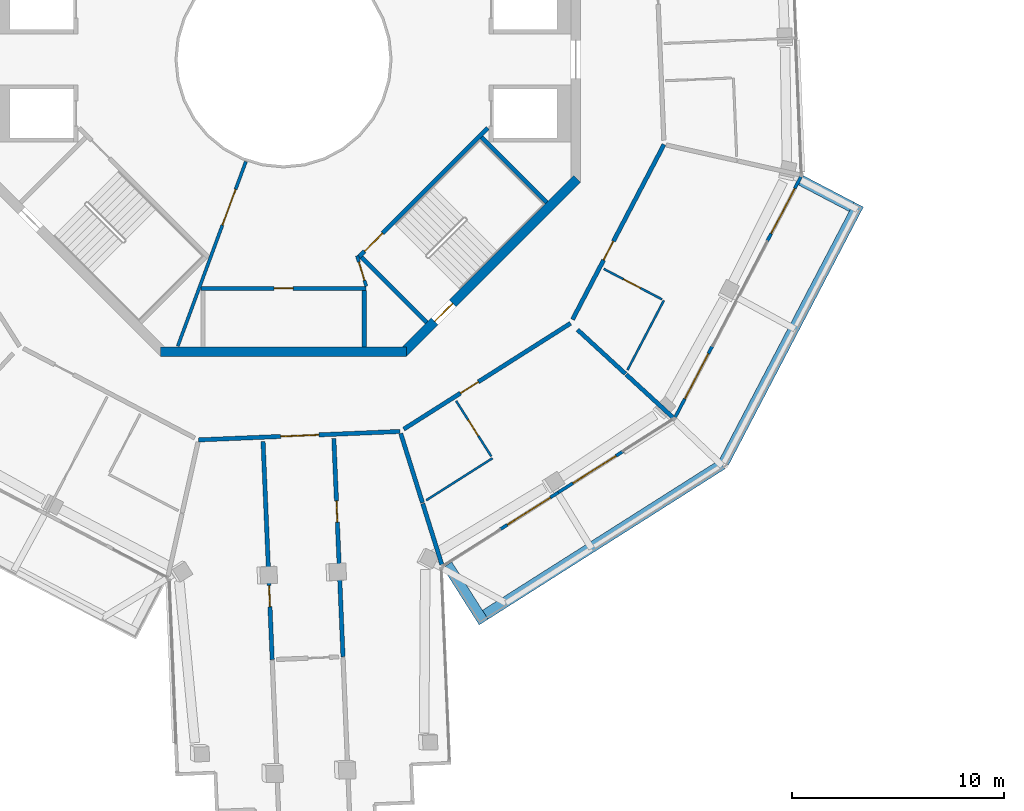
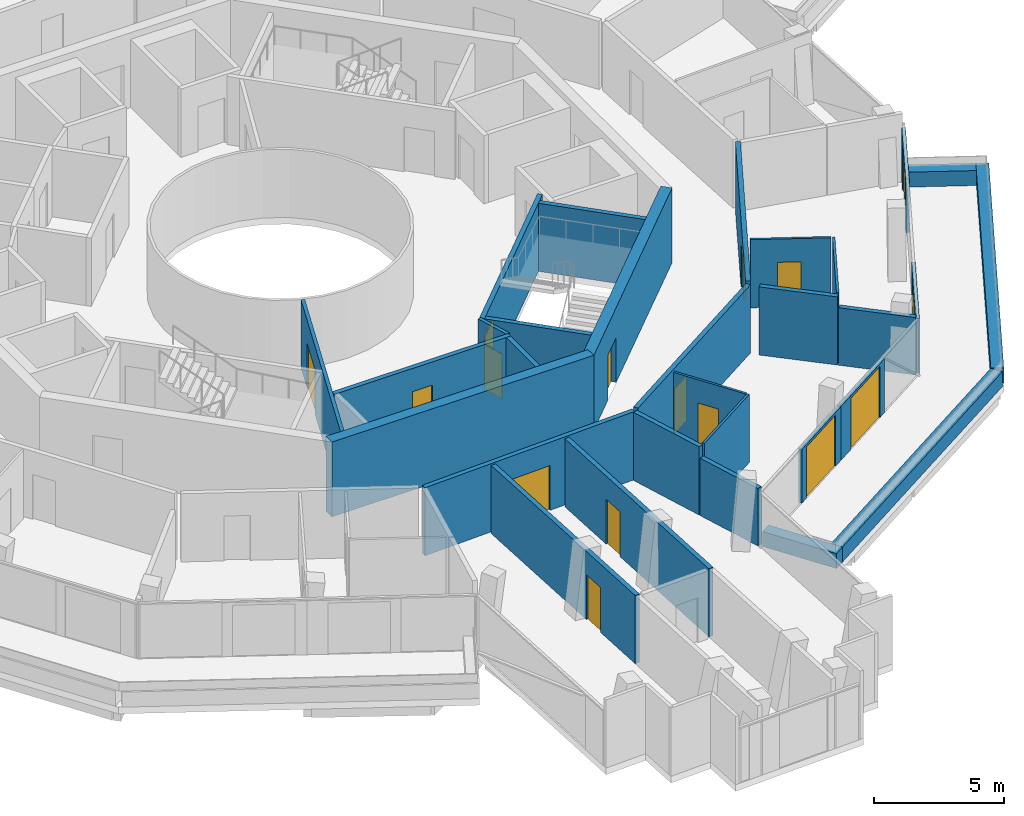
# One storey, part 16 of 23: 30 walls, 16 doors, 16 openings.
"""IFC4 building model written with IfcOpenShell, lengths in metres."""

import ifcopenshell
import ifcopenshell.guid

model = None  # the IFC model being written
_history = None  # IfcOwnerHistory: only IFC2X3 demands one
_inside = {}  # id of a spatial element -> (the spatial element, [elements in it])
_under = {}  # id of a project, library or spatial element -> (it, [spatial elements below it])
_declared = {}  # id of a project -> (the project, [libraries it declares])
_typed = {}  # id of a type object -> (the type object, [elements of that type])
_made_of = {}  # id of a material, layer set ... -> (it, [elements and type objects made of it])


def new_model(schema):
    """Start an empty IFC model of exactly this schema.

    Asked for "IFC4X3", IfcOpenShell would pick the latest addendum, in which some entities
    have other attributes; the version numbers below select the first issue.
    IFC2X3 requires an IfcOwnerHistory on every rooted entity: one is made here for all.
    """
    global model, _history
    if schema == "IFC4X3":
        model = ifcopenshell.file(schema_version=(4, 3, 0, 0))
    else:
        model = ifcopenshell.file(schema=schema)
    _inside.clear()
    _under.clear()
    _declared.clear()
    _typed.clear()
    _made_of.clear()
    _history = None
    if model.schema == "IFC2X3":
        org = make("IfcOrganization", Name="unknown")
        user = make(
            "IfcPersonAndOrganization",
            ThePerson=make("IfcPerson", FamilyName="unknown"),
            TheOrganization=org,
        )
        app = make(
            "IfcApplication",
            ApplicationDeveloper=org,
            Version="unknown",
            ApplicationFullName="unknown",
            ApplicationIdentifier="unknown",
        )
        _history = make(
            "IfcOwnerHistory",
            OwningUser=user,
            OwningApplication=app,
            ChangeAction="ADDED",
            CreationDate=0,
        )
    return model


def make(cls, **values):
    """One entity of the class cls with the attributes given. An attribute that is None is left unset."""
    return model.create_entity(
        cls, **{name: value for name, value in values.items() if value is not None}
    )


def rooted(cls, **values):
    """An entity with a GlobalId (a new one), such as an element, a storey or a relation."""
    return make(cls, GlobalId=ifcopenshell.guid.new(), OwnerHistory=_history, **values)


def si_unit(unit_type, name, prefix=None):
    """IfcSIUnit, for example si_unit("LENGTHUNIT", "METRE", prefix="MILLI")."""
    return make("IfcSIUnit", UnitType=unit_type, Prefix=prefix, Name=name)


def assignment(units):
    """IfcUnitAssignment: the units of a project."""
    return None if units is None else make("IfcUnitAssignment", Units=units)


def point(xyz):
    """IfcCartesianPoint."""
    return None if xyz is None else make("IfcCartesianPoint", Coordinates=xyz)


def direction(xyz):
    """IfcDirection."""
    return None if xyz is None else make("IfcDirection", DirectionRatios=xyz)


def frame(location, z_axis=None, x_axis=None):
    """IfcAxis2Placement3D, a coordinate frame: its origin and axes. An axis left out is left unset."""
    return make(
        "IfcAxis2Placement3D",
        Location=point(location),
        Axis=direction(z_axis),
        RefDirection=direction(x_axis),
    )


def frame_2d(location, x_axis=None):
    """IfcAxis2Placement2D, a coordinate frame in the plane: its origin and x axis."""
    return make(
        "IfcAxis2Placement2D", Location=point(location), RefDirection=direction(x_axis)
    )


def origin():
    """The frame at (0, 0, 0) with its axes left unset."""
    return frame((0.0, 0.0, 0.0))


def place(relative_to, where):
    """IfcLocalPlacement: puts the frame where relative to a parent placement (None: the world)."""
    return make(
        "IfcLocalPlacement", PlacementRelTo=relative_to, RelativePlacement=where
    )


def context(
    kind, dimensions, precision=None, world=None, true_north=None, identifier=None
):
    """IfcGeometricRepresentationContext, for example the 3D "Model" context."""
    return make(
        "IfcGeometricRepresentationContext",
        ContextIdentifier=identifier,
        ContextType=kind,
        CoordinateSpaceDimension=dimensions,
        Precision=precision,
        WorldCoordinateSystem=world,
        TrueNorth=true_north,
    )


def subcontext(parent, identifier, kind, view, scale=None):
    """IfcGeometricRepresentationSubContext, for example "Body" below "Model"."""
    return make(
        "IfcGeometricRepresentationSubContext",
        ContextIdentifier=identifier,
        ContextType=kind,
        ParentContext=parent,
        TargetScale=scale,
        TargetView=view,
    )


def project(units=None, contexts=None):
    """IfcProject with its units and contexts."""
    return rooted(
        "IfcProject",
        Name="project",
        RepresentationContexts=contexts,
        UnitsInContext=assignment(units),
    )


def spatial(cls, under=None, at=None, **own):
    """A site, building, storey or space (cls), placed at a placement, below another one or the project."""
    s = rooted(cls, ObjectPlacement=at, **own)
    if under is not None:
        _under.setdefault(under.id(), (under, []))[1].append(s)
    return s


def profile(cls, at=None, kind="AREA", **sizes):
    """A parametric profile (cls). Its sizes go by their IFC names, for example OverallWidth=200.0."""
    return make(cls, ProfileType=kind, Position=at, **sizes)


def rectangle(**sizes):
    """IfcRectangleProfileDef."""
    return profile("IfcRectangleProfileDef", **sizes)


def extrude(swept, where, along, depth):
    """IfcExtrudedAreaSolid: the profile swept, set in the frame where, extruded along a direction by depth."""
    return make(
        "IfcExtrudedAreaSolid",
        SweptArea=swept,
        Position=where,
        ExtrudedDirection=direction(along),
        Depth=depth,
    )


def shape(context_of_items, identifier, shape_type, items):
    """IfcShapeRepresentation: the items that make up one representation, for example the "Body"."""
    return make(
        "IfcShapeRepresentation",
        ContextOfItems=context_of_items,
        RepresentationIdentifier=identifier,
        RepresentationType=shape_type,
        Items=items,
    )


def material(Name=None, Category=None):
    """IfcMaterial."""
    return make("IfcMaterial", Name=Name, Category=Category)


def layer(
    of_material, thickness, ventilated=None, Name=None, Category=None, Priority=None
):
    """IfcMaterialLayer: one layer of a wall or slab, of a material (None: an air gap)."""
    return make(
        "IfcMaterialLayer",
        Material=of_material,
        LayerThickness=thickness,
        IsVentilated=ventilated,
        Name=Name,
        Category=Category,
        Priority=Priority,
    )


def layer_set(layers, Name=None):
    """IfcMaterialLayerSet."""
    return make("IfcMaterialLayerSet", MaterialLayers=layers, LayerSetName=Name)


def made_of(thing, what):
    """Note that an element or type object is made of a material, layer set ...; save() writes the relation."""
    if what is not None:
        _made_of.setdefault(what.id(), (what, []))[1].append(thing)
    return thing


def type_object(cls, material=None, **own):
    """A type object (cls), such as IfcWallType, which elements share."""
    return made_of(rooted(cls, **own), material)


def element(
    cls,
    number,
    at=None,
    inside=None,
    cuts=None,
    type_object=None,
    material=None,
    context=None,
    identifier="Body",
    shape_type=None,
    held_by="IfcProductDefinitionShape",
    body=None,
    shapes=None,
    **own,
):
    """One element of the class cls, such as IfcWall. Its Tag is "e" and its number.

    at: its placement. inside: the storey or other place that contains it. cuts: it is an
    opening in that element (IfcRelVoidsElement). A single representation is given by context,
    identifier, shape_type and body (its items); several are given by shapes. held_by: the class
    of the entity that holds the representations. save() writes the other relations.
    """
    e = rooted(cls, Tag="e%d" % number, ObjectPlacement=at, **own)
    if body is not None:
        shapes = [shape(context, identifier, shape_type, body)]
    if shapes is not None:
        e.Representation = make(held_by, Representations=shapes)
    if inside is not None:
        _inside.setdefault(inside.id(), (inside, []))[1].append(e)
    if cuts is not None:
        rooted(
            "IfcRelVoidsElement", RelatingBuildingElement=cuts, RelatedOpeningElement=e
        )
    if type_object is not None:
        _typed.setdefault(type_object.id(), (type_object, []))[1].append(e)
    return made_of(e, material)


def fill(opening, filler):
    """IfcRelFillsElement: the door or window that sits in an opening."""
    return rooted(
        "IfcRelFillsElement",
        RelatingOpeningElement=opening,
        RelatedBuildingElement=filler,
    )


def aggregate(whole, parts):
    """IfcRelAggregates: a whole, such as a stair, and the parts it consists of."""
    return rooted("IfcRelAggregates", RelatingObject=whole, RelatedObjects=parts)


def save(model, path):
    """Write the relations noted so far, then the file.

    IfcRelAggregates (storeys below a building ...), IfcRelContainedInSpatialStructure (elements
    in a storey), IfcRelDefinesByType, IfcRelAssociatesMaterial and IfcRelDeclares: one each for
    every whole, place, type object, material and project.
    """
    for whole, parts in _under.values():
        aggregate(whole, parts)
    for where, things in _inside.values():
        rooted(
            "IfcRelContainedInSpatialStructure",
            RelatedElements=things,
            RelatingStructure=where,
        )
    for kind, things in _typed.values():
        rooted("IfcRelDefinesByType", RelatedObjects=things, RelatingType=kind)
    for what, things in _made_of.values():
        rooted("IfcRelAssociatesMaterial", RelatedObjects=things, RelatingMaterial=what)
    for by, libraries in _declared.values():
        rooted("IfcRelDeclares", RelatingContext=by, RelatedDefinitions=libraries)
    model.write(path)


model = new_model("IFC4")

# Units and contexts
model_context = context("Model", 3, precision=1e-05, world=origin(), true_north=direction((0.0, 1.0)))
body_context = subcontext(model_context, "Body", "Model", "MODEL_VIEW")
ifc_project = project(units=[si_unit("LENGTHUNIT", "METRE"), si_unit("AREAUNIT", "SQUARE_METRE"), si_unit("VOLUMEUNIT", "CUBIC_METRE"), si_unit("PLANEANGLEUNIT", "RADIAN"), si_unit("MASSUNIT", "GRAM", prefix="KILO")], contexts=[model_context])

# Site, building, storey
site_placement = place(None, origin())
site = spatial("IfcSite", under=ifc_project, at=site_placement, CompositionType="ELEMENT")
building_placement = place(site_placement, origin())
building = spatial("IfcBuilding", under=site, at=building_placement, Name="Verdalira Terraces Hotel", CompositionType="ELEMENT")
storey_placement = place(building_placement, frame((0.0, 0.0, 288.0)))
storey = spatial("IfcBuildingStorey", under=building, at=storey_placement, Name="L71", CompositionType="ELEMENT", Elevation=288.0)

# Walls
ifc_material_1 = material(Name="Concrete C40", Category="concrete")
ifc_layer_1 = layer(ifc_material_1, 0.5)
ifc_layer_set_1 = layer_set([ifc_layer_1], Name="Balcony planter trough with tree")
wall_type_1 = type_object("IfcWallType", Name="Balcony planter trough with tree", PredefinedType="SOLIDWALL", material=ifc_layer_set_1)
wall_1_placement = place(storey_placement, frame((7.72168, -23.831787, 0.0), z_axis=(0.0, 0.0, 1.0), x_axis=(0.535838042, -0.844320788, 0.0)))
element("IfcWall", 1, at=wall_1_placement, inside=storey, type_object=wall_type_1, Name="Balcony planter", PredefinedType="SOLIDWALL", context=body_context, shape_type="SweptSolid", body=[
    extrude(rectangle(XDim=3.198975, YDim=0.5, at=frame_2d((1.599609, 0.0))), origin(), (0.0, 0.0, 1.0), 0.699951),
])
wall_2_placement = place(storey_placement, frame((9.512939, -26.187744, 0.0), z_axis=(0.0, 0.0, 1.0), x_axis=(0.844331348, 0.535821402, 0.0)))
element("IfcWall", 2, at=wall_2_placement, inside=storey, type_object=wall_type_1, Name="Balcony planter", PredefinedType="SOLIDWALL", context=body_context, shape_type="SweptSolid", body=[
    extrude(rectangle(XDim=13.223633, YDim=0.5, at=frame_2d((6.611816, 0.0))), origin(), (0.0, 0.0, 1.0), 0.699951),
])
wall_3_placement = place(storey_placement, frame((20.765625, -19.00708, 0.0), z_axis=(0.0, 0.0, 1.0), x_axis=(0.463286917, 0.886208346, 0.0)))
element("IfcWall", 3, at=wall_3_placement, inside=storey, type_object=wall_type_1, Name="Balcony planter", PredefinedType="SOLIDWALL", context=body_context, shape_type="SweptSolid", body=[
    extrude(rectangle(XDim=13.723389, YDim=0.5, at=frame_2d((6.861816, 0.0))), origin(), (0.0, 0.0, 1.0), 0.699951),
])
wall_4_placement = place(storey_placement, frame((26.786133, -6.950928, 0.0), z_axis=(0.0, 0.0, 1.0), x_axis=(-0.886194214, 0.463313949, 0.0)))
element("IfcWall", 4, at=wall_4_placement, inside=storey, type_object=wall_type_1, Name="Balcony planter", PredefinedType="SOLIDWALL", context=body_context, shape_type="SweptSolid", body=[
    extrude(rectangle(XDim=2.698975, YDim=0.5, at=frame_2d((1.349609, 0.0))), origin(), (0.0, 0.0, 1.0), 0.699951),
])
ifc_material_2 = material(Name="Moisture-resistant gypsum board partition")
ifc_layer_2 = layer(ifc_material_2, 0.10009765625)
ifc_layer_set_2 = layer_set([ifc_layer_2], Name="Bathroom partition 100 mm")
wall_type_2 = type_object("IfcWallType", Name="Bathroom partition 100 mm", PredefinedType="PARTITIONING", material=ifc_layer_set_2)
wall_5_placement = place(storey_placement, frame((9.852539, -18.806641, 0.0), z_axis=(0.0, 0.0, 1.0), x_axis=(-0.844312217, -0.535851547, 0.0)))
element("IfcWall", 5, at=wall_5_placement, inside=storey, type_object=wall_type_2, Name="Bathroom partition", PredefinedType="PARTITIONING", context=body_context, shape_type="SweptSolid", body=[
    extrude(rectangle(XDim=3.704102, YDim=0.100098, at=frame_2d((1.852051, 0.0))), origin(), (0.0, 0.0, 1.0), 3.189941),
])

# Wall, opening, door
wall_6_placement = place(storey_placement, frame((9.799072, -18.722412, 0.0), z_axis=(0.0, 0.0, 1.0), x_axis=(-0.535840635, 0.844319142, 0.0)))
wall_6 = element("IfcWall", 6, at=wall_6_placement, inside=storey, type_object=wall_type_2, Name="Bathroom partition", PredefinedType="PARTITIONING", context=body_context, shape_type="SweptSolid", body=[
    extrude(rectangle(XDim=3.100098, YDim=0.100098, at=frame_2d((1.550049, 0.0))), origin(), (0.0, 0.0, 1.0), 3.189941),
])
opening_1_placement = place(wall_6_placement, frame((1.149902, 0.0, 0.0)))
opening_1 = element("IfcOpeningElement", 7, at=opening_1_placement, cuts=wall_6, Name="Opening L71-118", PredefinedType="OPENING", context=body_context, shape_type="SweptSolid", body=[
    extrude(rectangle(XDim=0.899902, YDim=2.100098, at=frame_2d((0.449951, 1.050049))), frame((0.0, 0.060059, 0.0), z_axis=(0.0, -1.0, 0.0), x_axis=(1.0, 0.0, 0.0)), (0.0, 0.0, 1.0), 0.120117),
])
ifc_material_3 = material(Name="Timber door", Category="wood")
door_type_1 = type_object("IfcDoorType", Name="Bathroom door 900 x 2100", OperationType="NOTDEFINED", PredefinedType="DOOR", material=ifc_material_3)
door_1_placement = place(opening_1_placement, origin())
door_1 = element("IfcDoor", 8, at=door_1_placement, inside=storey, type_object=door_type_1, Name="Bathroom door 7106", OperationType="SINGLE_SWING_LEFT", OverallHeight=2.10009765625, OverallWidth=0.89990234375, PredefinedType="DOOR", context=body_context, shape_type="SweptSolid", body=[
    extrude(rectangle(XDim=0.899902, YDim=2.100098, at=frame_2d((0.449951, 1.050049))), frame((0.0, 0.024902, 0.0), z_axis=(0.0, -1.0, 0.0), x_axis=(1.0, 0.0, 0.0)), (0.0, 0.0, 1.0), 0.050049),
])
fill(opening_1, door_1)

wall_7_placement = place(storey_placement, frame((17.847412, -11.314453, 0.0), z_axis=(0.0, 0.0, 1.0), x_axis=(-0.886233527, 0.463238746, 0.0)))
wall_7 = element("IfcWall", 9, at=wall_7_placement, inside=storey, type_object=wall_type_2, Name="Bathroom partition", PredefinedType="PARTITIONING", context=body_context, shape_type="SweptSolid", body=[
    extrude(rectangle(XDim=3.100098, YDim=0.100098, at=frame_2d((1.550049, 0.0))), origin(), (0.0, 0.0, 1.0), 3.189941),
])
opening_2_placement = place(wall_7_placement, frame((1.149902, 0.0, 0.0)))
opening_2 = element("IfcOpeningElement", 10, at=opening_2_placement, cuts=wall_7, Name="Opening L71-120", PredefinedType="OPENING", context=body_context, shape_type="SweptSolid", body=[
    extrude(rectangle(XDim=0.899902, YDim=2.100098, at=frame_2d((0.449951, 1.050049))), frame((0.0, 0.060059, 0.0), z_axis=(0.0, -1.0, 0.0), x_axis=(1.0, 0.0, 0.0)), (0.0, 0.0, 1.0), 0.120117),
])
door_2_placement = place(opening_2_placement, origin())
door_2 = element("IfcDoor", 11, at=door_2_placement, inside=storey, type_object=door_type_1, Name="Bathroom door 7107", OperationType="SINGLE_SWING_LEFT", OverallHeight=2.10009765625, OverallWidth=0.89990234375, PredefinedType="DOOR", context=body_context, shape_type="SweptSolid", body=[
    extrude(rectangle(XDim=0.899902, YDim=2.100098, at=frame_2d((0.449951, 1.050049))), frame((0.0, 0.024902, 0.0), z_axis=(0.0, -1.0, 0.0), x_axis=(1.0, 0.0, 0.0)), (0.0, 0.0, 1.0), 0.050049),
])
fill(opening_2, door_2)

# Wall
wall_8_placement = place(storey_placement, frame((17.936035, -11.36084, 0.0), z_axis=(0.0, 0.0, 1.0), x_axis=(-0.463302447, -0.886200227, 0.0)))
element("IfcWall", 12, at=wall_8_placement, inside=storey, type_object=wall_type_2, Name="Bathroom partition", PredefinedType="PARTITIONING", context=body_context, shape_type="SweptSolid", body=[
    extrude(rectangle(XDim=3.704102, YDim=0.100098, at=frame_2d((1.852051, 0.0))), origin(), (0.0, 0.0, 1.0), 3.189941),
])

# Wall, opening, door
ifc_material_4 = material(Name="Concrete C50", Category="concrete")
ifc_layer_3 = layer(ifc_material_4, 0.199951171875)
ifc_layer_set_3 = layer_set([ifc_layer_3], Name="Core RC wall 200 C50")
wall_type_3 = type_object("IfcWallType", Name="Core RC wall 200 C50", PredefinedType="SOLIDWALL", material=ifc_layer_set_3)
wall_9_placement = place(storey_placement, frame((-3.899902, -10.800049, 0.0), z_axis=(0.0, 0.0, 1.0), x_axis=(1.0, 0.0, 0.0)))
wall_9 = element("IfcWall", 13, at=wall_9_placement, inside=storey, type_object=wall_type_3, Name="L71 store front wall", PredefinedType="SOLIDWALL", context=body_context, shape_type="SweptSolid", body=[
    extrude(rectangle(XDim=7.799805, YDim=0.199951, at=frame_2d((3.899902, 0.0))), origin(), (0.0, 0.0, 1.0), 3.189941),
])
opening_3_placement = place(wall_9_placement, frame((3.449951, 0.0, 0.0)))
opening_3 = element("IfcOpeningElement", 14, at=opening_3_placement, cuts=wall_9, Name="Opening L71-801", PredefinedType="OPENING", context=body_context, shape_type="SweptSolid", body=[
    extrude(rectangle(XDim=0.899902, YDim=2.100098, at=frame_2d((0.449951, 1.050049))), frame((0.0, 0.109863, 0.0), z_axis=(0.0, -1.0, 0.0), x_axis=(1.0, 0.0, 0.0)), (0.0, 0.0, 1.0), 0.219971),
])
ifc_material_5 = material(Name="Steel fire door", Category="steel")
door_type_2 = type_object("IfcDoorType", Name="Core room door 900 x 2100", OperationType="NOTDEFINED", PredefinedType="DOOR", material=ifc_material_5)
door_3_placement = place(opening_3_placement, origin())
door_3 = element("IfcDoor", 15, at=door_3_placement, inside=storey, type_object=door_type_2, Name="Store door L71 SS", OperationType="SINGLE_SWING_LEFT", OverallHeight=2.10009765625, OverallWidth=0.89990234375, PredefinedType="DOOR", context=body_context, shape_type="SweptSolid", body=[
    extrude(rectangle(XDim=0.899902, YDim=2.100098, at=frame_2d((0.449951, 1.050049))), frame((0.0, 0.024902, 0.0), z_axis=(0.0, -1.0, 0.0), x_axis=(1.0, 0.0, 0.0)), (0.0, 0.0, 1.0), 0.050049),
])
fill(opening_3, door_3)

# Wall
wall_10_placement = place(storey_placement, frame((3.800049, -10.899902, 0.0), z_axis=(0.0, 0.0, 1.0), x_axis=(0.0, -1.0, 0.0)))
element("IfcWall", 16, at=wall_10_placement, inside=storey, type_object=wall_type_3, Name="L71 store side wall", PredefinedType="SOLIDWALL", context=body_context, shape_type="SweptSolid", body=[
    extrude(rectangle(XDim=2.650146, YDim=0.199951, at=frame_2d((1.325195, 0.0))), origin(), (0.0, 0.0, 1.0), 3.189941),
])

# Wall, opening, door
wall_11_placement = place(storey_placement, frame((9.629395, -3.23999, 0.0), z_axis=(0.0, 0.0, 1.0), x_axis=(-0.707120946, -0.707092617, 0.0)))
wall_11 = element("IfcWall", 17, at=wall_11_placement, inside=storey, type_object=wall_type_3, Name="L71 stair ST3 front wall", PredefinedType="SOLIDWALL", context=body_context, shape_type="SweptSolid", body=[
    extrude(rectangle(XDim=8.61792, YDim=0.199951, at=frame_2d((4.309082, 0.0))), origin(), (0.0, 0.0, 1.0), 3.189941),
])
opening_4_placement = place(wall_11_placement, frame((7.017822, 0.0, 0.0)))
opening_4 = element("IfcOpeningElement", 18, at=opening_4_placement, cuts=wall_11, Name="Opening L71-812", PredefinedType="OPENING", context=body_context, shape_type="SweptSolid", body=[
    extrude(rectangle(XDim=1.199951, YDim=2.100098, at=frame_2d((0.600098, 1.050049))), frame((0.0, 0.109863, 0.0), z_axis=(0.0, -1.0, 0.0), x_axis=(1.0, 0.0, 0.0)), (0.0, 0.0, 1.0), 0.219971),
])
ifc_material_6 = material(Name="Steel fire door", Category="steel")
door_type_3 = type_object("IfcDoorType", Name="Stair door 1200 x 2100", OperationType="NOTDEFINED", PredefinedType="DOOR", material=ifc_material_6)
door_4_placement = place(opening_4_placement, origin())
door_4 = element("IfcDoor", 19, at=door_4_placement, inside=storey, type_object=door_type_3, Name="Stair door ST3 L71", OperationType="SINGLE_SWING_RIGHT", OverallHeight=2.10009765625, OverallWidth=1.199951171875, PredefinedType="DOOR", context=body_context, shape_type="SweptSolid", body=[
    extrude(rectangle(XDim=1.199951, YDim=2.100098, at=frame_2d((0.600098, 1.050049))), frame((0.0, 0.024902, 0.0), z_axis=(0.0, -1.0, 0.0), x_axis=(1.0, 0.0, 0.0)), (0.0, 0.0, 1.0), 0.050049),
])
fill(opening_4, door_4)

# Walls
for number, where, z_axis, x_axis, name in (
    (20, (3.677002, -9.33374, 0.0), (0.0, 0.0, 1.0), (0.707106781, -0.707106781, 0.0), "L71 stair ST3 end wall 1"),
    (21, (9.33374, -3.677002, 0.0), (0.0, 0.0, 1.0), (0.707106781, -0.707106781, 0.0), "L71 stair ST3 end wall 2"),
):
    element("IfcWall", number, at=place(storey_placement, frame(where, z_axis=z_axis, x_axis=x_axis)), inside=storey, type_object=wall_type_3, Name=name, PredefinedType="SOLIDWALL", context=body_context, shape_type="SweptSolid", body=[
        extrude(rectangle(XDim=4.350098, YDim=0.199951, at=frame_2d((2.175049, 0.0))), origin(), (0.0, 0.0, 1.0), 3.189941),
    ])

# Wall, opening, door
ifc_material_7 = material(Name="Gypsum board partition")
ifc_layer_4 = layer(ifc_material_7, 0.14990234375)
ifc_layer_set_4 = layer_set([ifc_layer_4], Name="Core partition 150 mm")
wall_type_4 = type_object("IfcWallType", Name="Core partition 150 mm", PredefinedType="PARTITIONING", material=ifc_layer_set_4)
wall_12_placement = place(storey_placement, frame((3.899902, -10.699951, 0.0), z_axis=(0.0, 0.0, 1.0), x_axis=(-0.289808785, 0.957084567, 0.0)))
wall_12 = element("IfcWall", 22, at=wall_12_placement, inside=storey, type_object=wall_type_4, Name="Room partition L71", PredefinedType="PARTITIONING", context=body_context, shape_type="SweptSolid", body=[
    extrude(rectangle(XDim=1.501221, YDim=0.149902, at=frame_2d((0.750488, 0.0))), origin(), (0.0, 0.0, 1.0), 3.189941),
])
opening_5_placement = place(wall_12_placement, frame((0.300781, 0.0, 0.0)))
opening_5 = element("IfcOpeningElement", 23, at=opening_5_placement, cuts=wall_12, Name="Opening L71-822", PredefinedType="OPENING", context=body_context, shape_type="SweptSolid", body=[
    extrude(rectangle(XDim=0.899902, YDim=2.100098, at=frame_2d((0.449951, 1.050049))), frame((0.0, 0.084961, 0.0), z_axis=(0.0, -1.0, 0.0), x_axis=(1.0, 0.0, 0.0)), (0.0, 0.0, 1.0), 0.169922),
])
door_5_placement = place(opening_5_placement, origin())
door_5 = element("IfcDoor", 24, at=door_5_placement, inside=storey, type_object=door_type_2, Name="Door L71 room6", OperationType="SINGLE_SWING_LEFT", OverallHeight=2.10009765625, OverallWidth=0.89990234375, PredefinedType="DOOR", context=body_context, shape_type="SweptSolid", body=[
    extrude(rectangle(XDim=0.899902, YDim=2.100098, at=frame_2d((0.449951, 1.050049))), frame((0.0, 0.024902, 0.0), z_axis=(0.0, -1.0, 0.0), x_axis=(1.0, 0.0, 0.0)), (0.0, 0.0, 1.0), 0.050049),
])
fill(opening_5, door_5)

wall_13_placement = place(storey_placement, frame((-1.775635, -4.812988, 0.0), z_axis=(0.0, 0.0, 1.0), x_axis=(-0.346114844, -0.938192152, 0.0)))
wall_13 = element("IfcWall", 25, at=wall_13_placement, inside=storey, type_object=wall_type_4, Name="Gallery fire partition L71", PredefinedType="PARTITIONING", context=body_context, shape_type="SweptSolid", body=[
    extrude(rectangle(XDim=9.282715, YDim=0.149902, at=frame_2d((4.641357, 0.0))), origin(), (0.0, 0.0, 1.0), 3.189941),
])
opening_6_placement = place(wall_13_placement, frame((1.399902, 0.0, 0.0)))
opening_6 = element("IfcOpeningElement", 26, at=opening_6_placement, cuts=wall_13, Name="Opening L71-824", PredefinedType="OPENING", context=body_context, shape_type="SweptSolid", body=[
    extrude(rectangle(XDim=1.800049, YDim=2.100098, at=frame_2d((0.899902, 1.050049))), frame((0.0, 0.084961, 0.0), z_axis=(0.0, -1.0, 0.0), x_axis=(1.0, 0.0, 0.0)), (0.0, 0.0, 1.0), 0.169922),
])
ifc_material_8 = material(Name="Steel fire door", Category="steel")
door_type_4 = type_object("IfcDoorType", Name="Gallery fire door pair 1800 x 2100", OperationType="NOTDEFINED", PredefinedType="DOOR", material=ifc_material_8)
door_6_placement = place(opening_6_placement, origin())
door_6 = element("IfcDoor", 27, at=door_6_placement, inside=storey, type_object=door_type_4, Name="Door L71 split5", OperationType="DOUBLE_DOOR_SINGLE_SWING", OverallHeight=2.10009765625, OverallWidth=1.800048828125, PredefinedType="DOOR", context=body_context, shape_type="SweptSolid", body=[
    extrude(rectangle(XDim=1.800049, YDim=2.100098, at=frame_2d((0.899902, 1.050049))), frame((0.0, 0.024902, 0.0), z_axis=(0.0, -1.0, 0.0), x_axis=(1.0, 0.0, 0.0)), (0.0, 0.0, 1.0), 0.050049),
])
fill(opening_6, door_6)

# Wall
ifc_material_9 = material(Name="Concrete C50", Category="concrete")
ifc_layer_5 = layer(ifc_material_9, 0.449951171875)
ifc_layer_set_5 = layer_set([ifc_layer_5], Name="Core wall 450 C50")
wall_type_5 = type_object("IfcWallType", Name="Core wall 450 C50", PredefinedType="SHEAR", material=ifc_layer_set_5)
wall_14_placement = place(storey_placement, frame((-5.799072, -13.774902, 0.0), z_axis=(0.0, 0.0, 1.0), x_axis=(1.0, 0.0, 0.0)))
element("IfcWall", 28, at=wall_14_placement, inside=storey, type_object=wall_type_5, Name="Core wall CW-L71-7", PredefinedType="SHEAR", context=body_context, shape_type="SweptSolid", body=[
    extrude(rectangle(XDim=11.598145, YDim=0.449951, at=frame_2d((5.799072, 0.0))), origin(), (0.0, 0.0, 1.0), 3.5),
])

# Wall, opening, door
wall_15_placement = place(storey_placement, frame((5.639893, -13.84082, 0.0), z_axis=(0.0, 0.0, 1.0), x_axis=(0.707106781, 0.707106781, 0.0)))
wall_15 = element("IfcWall", 29, at=wall_15_placement, inside=storey, type_object=wall_type_5, Name="Core wall CW-L71-8", PredefinedType="SHEAR", context=body_context, shape_type="SweptSolid", body=[
    extrude(rectangle(XDim=11.5979, YDim=0.449951, at=frame_2d((5.798828, 0.0))), origin(), (0.0, 0.0, 1.0), 3.5),
])
opening_7_placement = place(wall_15_placement, frame((2.099121, 0.0, 0.0)))
opening_7 = element("IfcOpeningElement", 30, at=opening_7_placement, cuts=wall_15, Name="Opening L71-818", PredefinedType="OPENING", context=body_context, shape_type="SweptSolid", body=[
    extrude(rectangle(XDim=1.199951, YDim=2.100098, at=frame_2d((0.600098, 1.050049))), frame((0.0, 0.234863, 0.0), z_axis=(0.0, -1.0, 0.0), x_axis=(1.0, 0.0, 0.0)), (0.0, 0.0, 1.0), 0.469971),
])
door_7_placement = place(opening_7_placement, origin())
door_7 = element("IfcDoor", 31, at=door_7_placement, inside=storey, type_object=door_type_3, Name="Stair exit door ST3 L71", OperationType="SINGLE_SWING_LEFT", OverallHeight=2.10009765625, OverallWidth=1.199951171875, PredefinedType="DOOR", context=body_context, shape_type="SweptSolid", body=[
    extrude(rectangle(XDim=1.199951, YDim=2.100098, at=frame_2d((0.600098, 1.050049))), frame((0.0, 0.024902, 0.0), z_axis=(0.0, -1.0, 0.0), x_axis=(1.0, 0.0, 0.0)), (0.0, 0.0, 1.0), 0.050049),
])
fill(opening_7, door_7)

ifc_material_10 = material(Name="Fire-rated gypsum board wall")
ifc_layer_6 = layer(ifc_material_10, 0.199951171875)
ifc_layer_set_6 = layer_set([ifc_layer_6], Name="Demising wall 200 mm")
wall_type_6 = type_object("IfcWallType", Name="Demising wall 200 mm", PredefinedType="SOLIDWALL", material=ifc_layer_set_6)
wall_16_placement = place(storey_placement, frame((-0.534668, -28.307617, 0.0), z_axis=(0.0, 0.0, 1.0), x_axis=(-0.041875002, 0.999122857, 0.0)))
wall_16 = element("IfcWall", 32, at=wall_16_placement, inside=storey, type_object=wall_type_6, Name="Demising wall", PredefinedType="SOLIDWALL", context=body_context, shape_type="SweptSolid", body=[
    extrude(rectangle(XDim=10.302002, YDim=0.199951, at=frame_2d((5.150879, 0.0))), origin(), (0.0, 0.0, 1.0), 3.189941),
])
opening_8_placement = place(wall_16_placement, frame((2.5, 0.0, 0.0)))
opening_8 = element("IfcOpeningElement", 33, at=opening_8_placement, cuts=wall_16, Name="Opening L71-114", PredefinedType="OPENING", context=body_context, shape_type="SweptSolid", body=[
    extrude(rectangle(XDim=1.0, YDim=2.100098, at=frame_2d((0.5, 1.050049))), frame((0.0, 0.109863, 0.0), z_axis=(0.0, -1.0, 0.0), x_axis=(1.0, 0.0, 0.0)), (0.0, 0.0, 1.0), 0.219971),
])
ifc_material_11 = material(Name="Timber fire door", Category="wood")
door_type_5 = type_object("IfcDoorType", Name="Public room door 1000 x 2100", OperationType="NOTDEFINED", PredefinedType="DOOR", material=ifc_material_11)
door_8_placement = place(opening_8_placement, origin())
door_8 = element("IfcDoor", 34, at=door_8_placement, inside=storey, type_object=door_type_5, Name="Public room door 7105", OperationType="SINGLE_SWING_LEFT", OverallHeight=2.10009765625, OverallWidth=1.0, PredefinedType="DOOR", context=body_context, shape_type="SweptSolid", body=[
    extrude(rectangle(XDim=1.0, YDim=2.100098, at=frame_2d((0.5, 1.050049))), frame((0.0, 0.024902, 0.0), z_axis=(0.0, -1.0, 0.0), x_axis=(1.0, 0.0, 0.0)), (0.0, 0.0, 1.0), 0.050049),
])
fill(opening_8, door_8)

wall_17_placement = place(storey_placement, frame((2.372314, -17.874756, 0.0), z_axis=(0.0, 0.0, 1.0), x_axis=(0.041875994, -0.999122816, 0.0)))
wall_17 = element("IfcWall", 35, at=wall_17_placement, inside=storey, type_object=wall_type_6, Name="Demising wall", PredefinedType="SOLIDWALL", context=body_context, shape_type="SweptSolid", body=[
    extrude(rectangle(XDim=10.301758, YDim=0.199951, at=frame_2d((5.150879, 0.0))), origin(), (0.0, 0.0, 1.0), 3.189941),
])
opening_9_placement = place(wall_17_placement, frame((2.949951, 0.0, 0.0)))
opening_9 = element("IfcOpeningElement", 36, at=opening_9_placement, cuts=wall_17, Name="Opening L71-115", PredefinedType="OPENING", context=body_context, shape_type="SweptSolid", body=[
    extrude(rectangle(XDim=1.0, YDim=2.100098, at=frame_2d((0.5, 1.050049))), frame((0.0, 0.109863, 0.0), z_axis=(0.0, -1.0, 0.0), x_axis=(1.0, 0.0, 0.0)), (0.0, 0.0, 1.0), 0.219971),
])
door_9_placement = place(opening_9_placement, origin())
door_9 = element("IfcDoor", 37, at=door_9_placement, inside=storey, type_object=door_type_5, Name="Public room door 7105", OperationType="SINGLE_SWING_LEFT", OverallHeight=2.10009765625, OverallWidth=1.0, PredefinedType="DOOR", context=body_context, shape_type="SweptSolid", body=[
    extrude(rectangle(XDim=1.0, YDim=2.100098, at=frame_2d((0.5, 1.050049))), frame((0.0, 0.024902, 0.0), z_axis=(0.0, -1.0, 0.0), x_axis=(1.0, 0.0, 0.0)), (0.0, 0.0, 1.0), 0.050049),
])
fill(opening_9, door_9)

# Walls
wall_18_placement = place(storey_placement, frame((5.528809, -17.642334, 0.0), z_axis=(0.0, 0.0, 1.0), x_axis=(0.299035356, -0.954242032, 0.0)))
element("IfcWall", 38, at=wall_18_placement, inside=storey, type_object=wall_type_6, Name="Demising wall", PredefinedType="SOLIDWALL", context=body_context, shape_type="SweptSolid", body=[
    extrude(rectangle(XDim=3.418457, YDim=0.199951, at=frame_2d((1.709229, 0.0))), origin(), (0.0, 0.0, 1.0), 3.189941),
])
wall_19_placement = place(storey_placement, frame((13.862305, -12.74707, 0.0), z_axis=(0.0, 0.0, 1.0), x_axis=(0.736105078, -0.67686728, 0.0)))
element("IfcWall", 39, at=wall_19_placement, inside=storey, type_object=wall_type_6, Name="Demising wall", PredefinedType="SOLIDWALL", context=body_context, shape_type="SweptSolid", body=[
    extrude(rectangle(XDim=3.074463, YDim=0.199951, at=frame_2d((1.537109, 0.0))), origin(), (0.0, 0.0, 1.0), 3.189941),
])
ifc_material_12 = material(Name="Fire-rated gypsum board wall")
ifc_layer_7 = layer(ifc_material_12, 0.199951171875)
ifc_layer_set_7 = layer_set([ifc_layer_7], Name="Demising wall 200 mm to beam soffit")
wall_type_7 = type_object("IfcWallType", Name="Demising wall 200 mm to beam soffit", PredefinedType="SOLIDWALL", material=ifc_layer_set_7)
wall_20_placement = place(storey_placement, frame((6.564697, -20.947998, 0.0), z_axis=(0.0, 0.0, 1.0), x_axis=(0.29905498, -0.954235882, 0.0)))
element("IfcWall", 40, at=wall_20_placement, inside=storey, type_object=wall_type_7, Name="Demising wall", PredefinedType="SOLIDWALL", context=body_context, shape_type="SweptSolid", body=[
    extrude(rectangle(XDim=3.011719, YDim=0.199951, at=frame_2d((1.505859, 0.0))), origin(), (0.0, 0.0, 1.0), 2.689941),
])
wall_21_placement = place(storey_placement, frame((16.15918, -14.859131, 0.0), z_axis=(0.0, 0.0, 1.0), x_axis=(0.736116799, -0.676854533, 0.0)))
element("IfcWall", 41, at=wall_21_placement, inside=storey, type_object=wall_type_7, Name="Demising wall", PredefinedType="SOLIDWALL", context=body_context, shape_type="SweptSolid", body=[
    extrude(rectangle(XDim=3.011475, YDim=0.199951, at=frame_2d((1.505859, 0.0))), origin(), (0.0, 0.0, 1.0), 2.689941),
])

# Wall, opening, door
ifc_material_13 = material(Name="Fire-rated gypsum board wall")
ifc_layer_8 = layer(ifc_material_13, 0.199951171875)
ifc_layer_set_8 = layer_set([ifc_layer_8], Name="Guest corridor wall 200 mm")
wall_type_8 = type_object("IfcWallType", Name="Guest corridor wall 200 mm", PredefinedType="SOLIDWALL", material=ifc_layer_set_8)
wall_22_placement = place(storey_placement, frame((5.497803, -17.543457, 0.0), z_axis=(0.0, 0.0, 1.0), x_axis=(-0.999123175, -0.041867432, 0.0)))
wall_22 = element("IfcWall", 42, at=wall_22_placement, inside=storey, type_object=wall_type_8, Name="Guest corridor wall", PredefinedType="SOLIDWALL", context=body_context, shape_type="SweptSolid", body=[
    extrude(rectangle(XDim=9.516602, YDim=0.199951, at=frame_2d((4.758301, 0.0))), origin(), (0.0, 0.0, 1.0), 3.189941),
])
opening_10_placement = place(wall_22_placement, frame((3.836914, 0.0, 0.0)))
opening_10 = element("IfcOpeningElement", 43, at=opening_10_placement, cuts=wall_22, Name="Opening L71-113", PredefinedType="OPENING", context=body_context, shape_type="SweptSolid", body=[
    extrude(rectangle(XDim=1.800049, YDim=2.100098, at=frame_2d((0.899902, 1.050049))), frame((0.0, 0.109863, 0.0), z_axis=(0.0, -1.0, 0.0), x_axis=(1.0, 0.0, 0.0)), (0.0, 0.0, 1.0), 0.219971),
])
ifc_material_14 = material(Name="Timber fire door", Category="wood")
door_type_6 = type_object("IfcDoorType", Name="Public room double door 1800 x 2100", OperationType="NOTDEFINED", PredefinedType="DOOR", material=ifc_material_14)
door_10_placement = place(opening_10_placement, origin())
door_10 = element("IfcDoor", 44, at=door_10_placement, inside=storey, type_object=door_type_6, Name="Public room double door 7105", OperationType="DOUBLE_DOOR_SINGLE_SWING", OverallHeight=2.10009765625, OverallWidth=1.800048828125, PredefinedType="DOOR", context=body_context, shape_type="SweptSolid", body=[
    extrude(rectangle(XDim=1.800049, YDim=2.100098, at=frame_2d((0.899902, 1.050049))), frame((0.0, 0.024902, 0.0), z_axis=(0.0, -1.0, 0.0), x_axis=(1.0, 0.0, 0.0)), (0.0, 0.0, 1.0), 0.050049),
])
fill(opening_10, door_10)

wall_23_placement = place(storey_placement, frame((13.532959, -12.444092, 0.0), z_axis=(0.0, 0.0, 1.0), x_axis=(-0.844321212, -0.535837373, 0.0)))
wall_23 = element("IfcWall", 45, at=wall_23_placement, inside=storey, type_object=wall_type_8, Name="Guest corridor wall", PredefinedType="SOLIDWALL", context=body_context, shape_type="SweptSolid", body=[
    extrude(rectangle(XDim=9.31665, YDim=0.199951, at=frame_2d((4.658203, 0.0))), origin(), (0.0, 0.0, 1.0), 3.189941),
])
opening_11_placement = place(wall_23_placement, frame((5.149902, 0.0, 0.0)))
opening_11 = element("IfcOpeningElement", 46, at=opening_11_placement, cuts=wall_23, Name="Opening L71-117", PredefinedType="OPENING", context=body_context, shape_type="SweptSolid", body=[
    extrude(rectangle(XDim=1.0, YDim=2.100098, at=frame_2d((0.5, 1.050049))), frame((0.0, 0.109863, 0.0), z_axis=(0.0, -1.0, 0.0), x_axis=(1.0, 0.0, 0.0)), (0.0, 0.0, 1.0), 0.219971),
])
ifc_material_15 = material(Name="Timber fire door", Category="wood")
door_type_7 = type_object("IfcDoorType", Name="Guest entry door 1000 x 2100", OperationType="NOTDEFINED", PredefinedType="DOOR", material=ifc_material_15)
door_11_placement = place(opening_11_placement, origin())
door_11 = element("IfcDoor", 47, at=door_11_placement, inside=storey, type_object=door_type_7, Name="Guest entry door 7106", OperationType="SINGLE_SWING_LEFT", OverallHeight=2.10009765625, OverallWidth=1.0, PredefinedType="DOOR", context=body_context, shape_type="SweptSolid", body=[
    extrude(rectangle(XDim=1.0, YDim=2.100098, at=frame_2d((0.5, 1.050049))), frame((0.0, 0.024902, 0.0), z_axis=(0.0, -1.0, 0.0), x_axis=(1.0, 0.0, 0.0)), (0.0, 0.0, 1.0), 0.050049),
])
fill(opening_11, door_11)

wall_24_placement = place(storey_placement, frame((17.941895, -4.010498, 0.0), z_axis=(0.0, 0.0, 1.0), x_axis=(-0.46328321, -0.886210284, 0.0)))
wall_24 = element("IfcWall", 48, at=wall_24_placement, inside=storey, type_object=wall_type_8, Name="Guest corridor wall", PredefinedType="SOLIDWALL", context=body_context, shape_type="SweptSolid", body=[
    extrude(rectangle(XDim=9.316406, YDim=0.199951, at=frame_2d((4.658203, 0.0))), origin(), (0.0, 0.0, 1.0), 3.189941),
])
opening_12_placement = place(wall_24_placement, frame((5.149902, 0.0, 0.0)))
opening_12 = element("IfcOpeningElement", 49, at=opening_12_placement, cuts=wall_24, Name="Opening L71-119", PredefinedType="OPENING", context=body_context, shape_type="SweptSolid", body=[
    extrude(rectangle(XDim=1.0, YDim=2.100098, at=frame_2d((0.5, 1.050049))), frame((0.0, 0.109863, 0.0), z_axis=(0.0, -1.0, 0.0), x_axis=(1.0, 0.0, 0.0)), (0.0, 0.0, 1.0), 0.219971),
])
door_12_placement = place(opening_12_placement, origin())
door_12 = element("IfcDoor", 50, at=door_12_placement, inside=storey, type_object=door_type_7, Name="Guest entry door 7107", OperationType="SINGLE_SWING_LEFT", OverallHeight=2.10009765625, OverallWidth=1.0, PredefinedType="DOOR", context=body_context, shape_type="SweptSolid", body=[
    extrude(rectangle(XDim=1.0, YDim=2.100098, at=frame_2d((0.5, 1.050049))), frame((0.0, 0.024902, 0.0), z_axis=(0.0, -1.0, 0.0), x_axis=(1.0, 0.0, 0.0)), (0.0, 0.0, 1.0), 0.050049),
])
fill(opening_12, door_12)

ifc_material_16 = material(Name="Terracotta cladding", Category="masonry")
ifc_layer_9 = layer(ifc_material_16, 0.14990234375)
ifc_layer_set_9 = layer_set([ifc_layer_9], Name="Terracotta door pier 150")
wall_type_9 = type_object("IfcWallType", Name="Terracotta door pier 150", PredefinedType="SOLIDWALL", material=ifc_layer_set_9)
wall_25_placement = place(storey_placement, frame((10.214111, -22.160156, 0.0), z_axis=(0.0, 0.0, 1.0), x_axis=(0.844310466, 0.535854306, 0.0)))
wall_25 = element("IfcWall", 51, at=wall_25_placement, inside=storey, type_object=wall_type_9, Name="Terracotta door pier", PredefinedType="SOLIDWALL", context=body_context, shape_type="SweptSolid", body=[
    extrude(rectangle(XDim=3.249756, YDim=0.149902, at=frame_2d((1.625, 0.0))), origin(), (0.0, 0.0, 1.0), 2.524902),
])
opening_13_placement = place(wall_25_placement, frame((0.399902, 0.0, 0.0)))
opening_13 = element("IfcOpeningElement", 52, at=opening_13_placement, cuts=wall_25, Name="Opening L71-B08", PredefinedType="OPENING", context=body_context, shape_type="SweptSolid", body=[
    extrude(rectangle(XDim=2.399902, YDim=2.399902, at=frame_2d((1.199951, 1.199951))), frame((0.0, 0.084961, 0.0), z_axis=(0.0, -1.0, 0.0), x_axis=(1.0, 0.0, 0.0)), (0.0, 0.0, 1.0), 0.169922),
])
ifc_material_17 = material(Name="Clear glass", Category="glass")
door_type_8 = type_object("IfcDoorType", Name="Balcony sliding door 2400x2400", OperationType="NOTDEFINED", PredefinedType="DOOR", material=ifc_material_17)
door_13_placement = place(opening_13_placement, origin())
door_13 = element("IfcDoor", 53, at=door_13_placement, inside=storey, type_object=door_type_8, Name="Balcony sliding door", OperationType="SLIDING_TO_RIGHT", OverallHeight=2.39990234375, OverallWidth=2.39990234375, PredefinedType="DOOR", context=body_context, shape_type="SweptSolid", body=[
    extrude(rectangle(XDim=2.399902, YDim=2.399902, at=frame_2d((1.199951, 1.199951))), frame((0.0, 0.024902, 0.0), z_axis=(0.0, -1.0, 0.0), x_axis=(1.0, 0.0, 0.0)), (0.0, 0.0, 1.0), 0.050049),
])
fill(opening_13, door_13)

wall_26_placement = place(storey_placement, frame((12.958008, -20.418701, 0.0), z_axis=(0.0, 0.0, 1.0), x_axis=(0.844320597, 0.535838342, 0.0)))
wall_26 = element("IfcWall", 54, at=wall_26_placement, inside=storey, type_object=wall_type_9, Name="Terracotta door pier", PredefinedType="SOLIDWALL", context=body_context, shape_type="SweptSolid", body=[
    extrude(rectangle(XDim=3.611328, YDim=0.149902, at=frame_2d((1.805664, 0.0))), origin(), (0.0, 0.0, 1.0), 2.524902),
])
opening_14_placement = place(wall_26_placement, frame((0.811279, 0.0, 0.0)))
opening_14 = element("IfcOpeningElement", 55, at=opening_14_placement, cuts=wall_26, Name="Opening L71-B09", PredefinedType="OPENING", context=body_context, shape_type="SweptSolid", body=[
    extrude(rectangle(XDim=2.399902, YDim=2.399902, at=frame_2d((1.199951, 1.199951))), frame((0.0, 0.084961, 0.0), z_axis=(0.0, -1.0, 0.0), x_axis=(1.0, 0.0, 0.0)), (0.0, 0.0, 1.0), 0.169922),
])
door_14_placement = place(opening_14_placement, origin())
door_14 = element("IfcDoor", 56, at=door_14_placement, inside=storey, type_object=door_type_8, Name="Balcony sliding door", OperationType="SLIDING_TO_LEFT", OverallHeight=2.39990234375, OverallWidth=2.39990234375, PredefinedType="DOOR", context=body_context, shape_type="SweptSolid", body=[
    extrude(rectangle(XDim=2.399902, YDim=2.399902, at=frame_2d((1.199951, 1.199951))), frame((0.0, 0.024902, 0.0), z_axis=(0.0, -1.0, 0.0), x_axis=(1.0, 0.0, 0.0)), (0.0, 0.0, 1.0), 0.050049),
])
fill(opening_14, door_14)

wall_27_placement = place(storey_placement, frame((18.466309, -16.875488, 0.0), z_axis=(0.0, 0.0, 1.0), x_axis=(0.4633106, 0.886195965, 0.0)))
wall_27 = element("IfcWall", 57, at=wall_27_placement, inside=storey, type_object=wall_type_9, Name="Terracotta door pier", PredefinedType="SOLIDWALL", context=body_context, shape_type="SweptSolid", body=[
    extrude(rectangle(XDim=3.786621, YDim=0.149902, at=frame_2d((1.893311, 0.0))), origin(), (0.0, 0.0, 1.0), 2.524902),
])
opening_15_placement = place(wall_27_placement, frame((0.986572, 0.0, 0.0)))
opening_15 = element("IfcOpeningElement", 58, at=opening_15_placement, cuts=wall_27, Name="Opening L71-B10", PredefinedType="OPENING", context=body_context, shape_type="SweptSolid", body=[
    extrude(rectangle(XDim=2.399902, YDim=2.399902, at=frame_2d((1.199951, 1.199951))), frame((0.0, 0.084961, 0.0), z_axis=(0.0, -1.0, 0.0), x_axis=(1.0, 0.0, 0.0)), (0.0, 0.0, 1.0), 0.169922),
])
door_15_placement = place(opening_15_placement, origin())
door_15 = element("IfcDoor", 59, at=door_15_placement, inside=storey, type_object=door_type_8, Name="Balcony sliding door", OperationType="SLIDING_TO_LEFT", OverallHeight=2.39990234375, OverallWidth=2.39990234375, PredefinedType="DOOR", context=body_context, shape_type="SweptSolid", body=[
    extrude(rectangle(XDim=2.399902, YDim=2.399902, at=frame_2d((1.199951, 1.199951))), frame((0.0, 0.024902, 0.0), z_axis=(0.0, -1.0, 0.0), x_axis=(1.0, 0.0, 0.0)), (0.0, 0.0, 1.0), 0.050049),
])
fill(opening_15, door_15)

wall_28_placement = place(storey_placement, frame((22.808838, -8.569336, 0.0), z_axis=(0.0, 0.0, 1.0), x_axis=(0.463242764, 0.886231427, 0.0)))
wall_28 = element("IfcWall", 60, at=wall_28_placement, inside=storey, type_object=wall_type_9, Name="Terracotta door pier", PredefinedType="SOLIDWALL", context=body_context, shape_type="SweptSolid", body=[
    extrude(rectangle(XDim=3.426758, YDim=0.149902, at=frame_2d((1.713379, 0.0))), origin(), (0.0, 0.0, 1.0), 2.524902),
])
opening_16_placement = place(wall_28_placement, frame((0.399902, 0.0, 0.0)))
opening_16 = element("IfcOpeningElement", 61, at=opening_16_placement, cuts=wall_28, Name="Opening L71-B11", PredefinedType="OPENING", context=body_context, shape_type="SweptSolid", body=[
    extrude(rectangle(XDim=2.399902, YDim=2.399902, at=frame_2d((1.199951, 1.199951))), frame((0.0, 0.084961, 0.0), z_axis=(0.0, -1.0, 0.0), x_axis=(1.0, 0.0, 0.0)), (0.0, 0.0, 1.0), 0.169922),
])
door_16_placement = place(opening_16_placement, origin())
door_16 = element("IfcDoor", 62, at=door_16_placement, inside=storey, type_object=door_type_8, Name="Balcony sliding door", OperationType="SLIDING_TO_RIGHT", OverallHeight=2.39990234375, OverallWidth=2.39990234375, PredefinedType="DOOR", context=body_context, shape_type="SweptSolid", body=[
    extrude(rectangle(XDim=2.399902, YDim=2.399902, at=frame_2d((1.199951, 1.199951))), frame((0.0, 0.024902, 0.0), z_axis=(0.0, -1.0, 0.0), x_axis=(1.0, 0.0, 0.0)), (0.0, 0.0, 1.0), 0.050049),
])
fill(opening_16, door_16)

save(model, "model.ifc")
